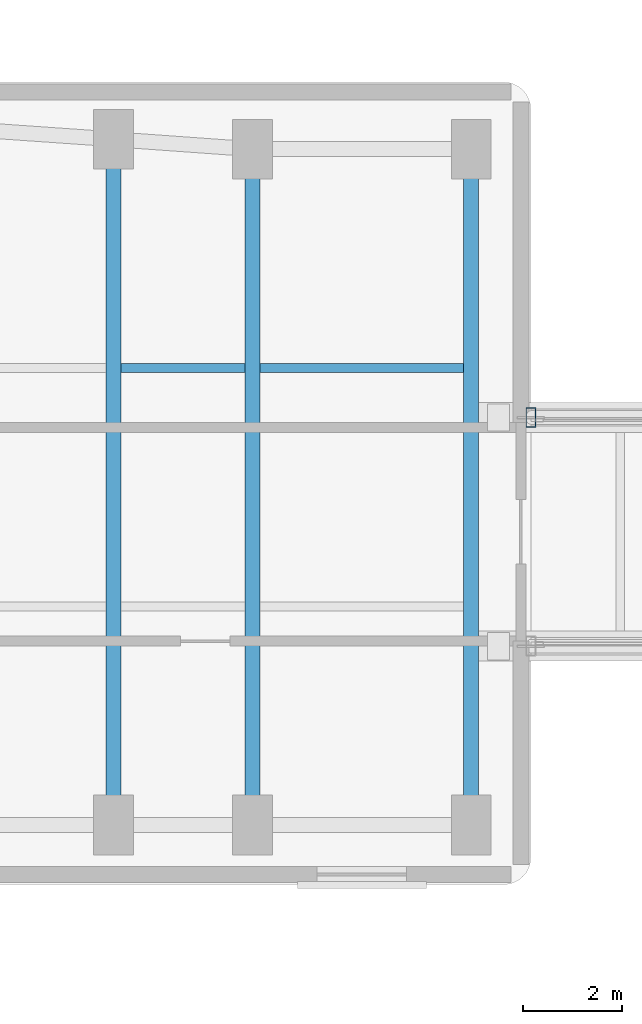
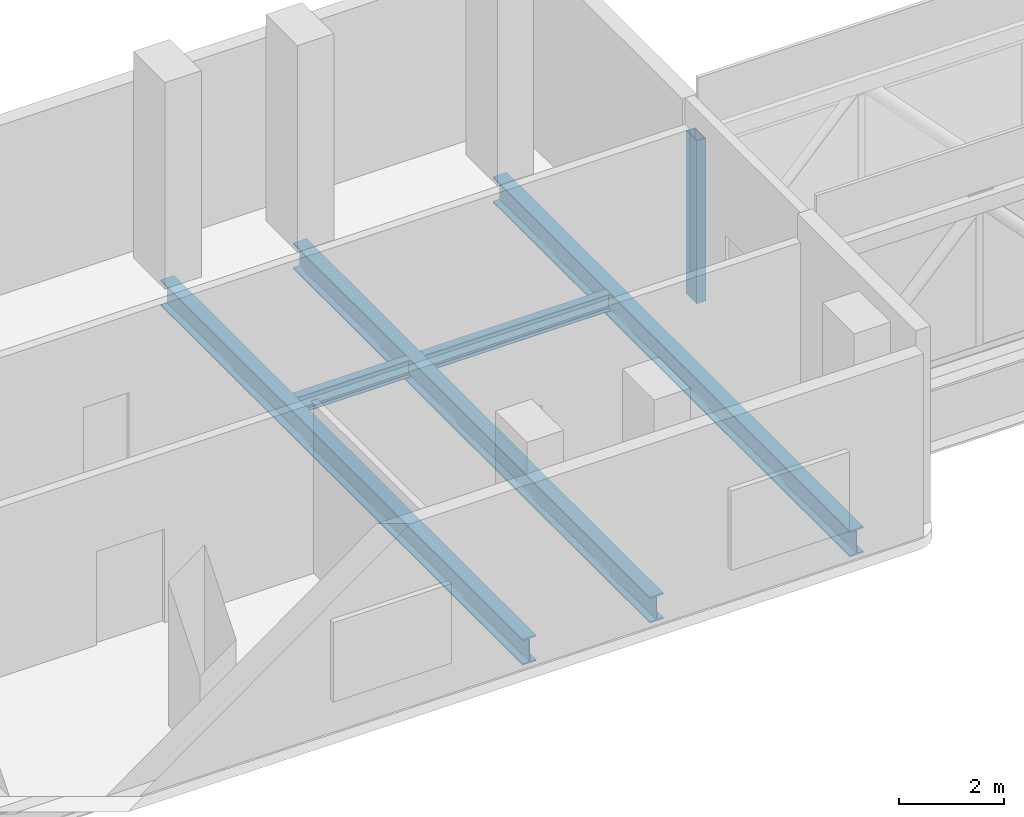
# One storey, part 3 of 17: 5 beams, 1 member.
"""IFC4 building model written with IfcOpenShell, lengths in metres."""

import ifcopenshell
import ifcopenshell.guid

model = None  # the IFC model being written
_history = None  # IfcOwnerHistory: only IFC2X3 demands one
_inside = {}  # id of a spatial element -> (the spatial element, [elements in it])
_under = {}  # id of a project, library or spatial element -> (it, [spatial elements below it])
_declared = {}  # id of a project -> (the project, [libraries it declares])
_typed = {}  # id of a type object -> (the type object, [elements of that type])
_made_of = {}  # id of a material, layer set ... -> (it, [elements and type objects made of it])


def new_model(schema):
    """Start an empty IFC model of exactly this schema.

    Asked for "IFC4X3", IfcOpenShell would pick the latest addendum, in which some entities
    have other attributes; the version numbers below select the first issue.
    IFC2X3 requires an IfcOwnerHistory on every rooted entity: one is made here for all.
    """
    global model, _history
    if schema == "IFC4X3":
        model = ifcopenshell.file(schema_version=(4, 3, 0, 0))
    else:
        model = ifcopenshell.file(schema=schema)
    _inside.clear()
    _under.clear()
    _declared.clear()
    _typed.clear()
    _made_of.clear()
    _history = None
    if model.schema == "IFC2X3":
        org = make("IfcOrganization", Name="unknown")
        user = make(
            "IfcPersonAndOrganization",
            ThePerson=make("IfcPerson", FamilyName="unknown"),
            TheOrganization=org,
        )
        app = make(
            "IfcApplication",
            ApplicationDeveloper=org,
            Version="unknown",
            ApplicationFullName="unknown",
            ApplicationIdentifier="unknown",
        )
        _history = make(
            "IfcOwnerHistory",
            OwningUser=user,
            OwningApplication=app,
            ChangeAction="ADDED",
            CreationDate=0,
        )
    return model


def make(cls, **values):
    """One entity of the class cls with the attributes given. An attribute that is None is left unset."""
    return model.create_entity(
        cls, **{name: value for name, value in values.items() if value is not None}
    )


def rooted(cls, **values):
    """An entity with a GlobalId (a new one), such as an element, a storey or a relation."""
    return make(cls, GlobalId=ifcopenshell.guid.new(), OwnerHistory=_history, **values)


def si_unit(unit_type, name, prefix=None):
    """IfcSIUnit, for example si_unit("LENGTHUNIT", "METRE", prefix="MILLI")."""
    return make("IfcSIUnit", UnitType=unit_type, Prefix=prefix, Name=name)


def assignment(units):
    """IfcUnitAssignment: the units of a project."""
    return None if units is None else make("IfcUnitAssignment", Units=units)


def point(xyz):
    """IfcCartesianPoint."""
    return None if xyz is None else make("IfcCartesianPoint", Coordinates=xyz)


def direction(xyz):
    """IfcDirection."""
    return None if xyz is None else make("IfcDirection", DirectionRatios=xyz)


def frame(location, z_axis=None, x_axis=None):
    """IfcAxis2Placement3D, a coordinate frame: its origin and axes. An axis left out is left unset."""
    return make(
        "IfcAxis2Placement3D",
        Location=point(location),
        Axis=direction(z_axis),
        RefDirection=direction(x_axis),
    )


def frame_2d(location, x_axis=None):
    """IfcAxis2Placement2D, a coordinate frame in the plane: its origin and x axis."""
    return make(
        "IfcAxis2Placement2D", Location=point(location), RefDirection=direction(x_axis)
    )


def origin():
    """The frame at (0, 0, 0) with its axes left unset."""
    return frame((0.0, 0.0, 0.0))


def origin_2d():
    """The frame at (0, 0) in the plane with its x axis left unset."""
    return frame_2d((0.0, 0.0))


def place(relative_to, where):
    """IfcLocalPlacement: puts the frame where relative to a parent placement (None: the world)."""
    return make(
        "IfcLocalPlacement", PlacementRelTo=relative_to, RelativePlacement=where
    )


def context(
    kind, dimensions, precision=None, world=None, true_north=None, identifier=None
):
    """IfcGeometricRepresentationContext, for example the 3D "Model" context."""
    return make(
        "IfcGeometricRepresentationContext",
        ContextIdentifier=identifier,
        ContextType=kind,
        CoordinateSpaceDimension=dimensions,
        Precision=precision,
        WorldCoordinateSystem=world,
        TrueNorth=true_north,
    )


def subcontext(parent, identifier, kind, view, scale=None):
    """IfcGeometricRepresentationSubContext, for example "Body" below "Model"."""
    return make(
        "IfcGeometricRepresentationSubContext",
        ContextIdentifier=identifier,
        ContextType=kind,
        ParentContext=parent,
        TargetScale=scale,
        TargetView=view,
    )


def project(units=None, contexts=None):
    """IfcProject with its units and contexts."""
    return rooted(
        "IfcProject",
        Name="project",
        RepresentationContexts=contexts,
        UnitsInContext=assignment(units),
    )


def spatial(cls, under=None, at=None, **own):
    """A site, building, storey or space (cls), placed at a placement, below another one or the project."""
    s = rooted(cls, ObjectPlacement=at, **own)
    if under is not None:
        _under.setdefault(under.id(), (under, []))[1].append(s)
    return s


def profile(cls, at=None, kind="AREA", **sizes):
    """A parametric profile (cls). Its sizes go by their IFC names, for example OverallWidth=200.0."""
    return make(cls, ProfileType=kind, Position=at, **sizes)


def hollow_rectangle(**sizes):
    """IfcRectangleHollowProfileDef."""
    return profile("IfcRectangleHollowProfileDef", **sizes)


def i_section(**sizes):
    """IfcIShapeProfileDef."""
    return profile("IfcIShapeProfileDef", **sizes)


def extrude(swept, where, along, depth):
    """IfcExtrudedAreaSolid: the profile swept, set in the frame where, extruded along a direction by depth."""
    return make(
        "IfcExtrudedAreaSolid",
        SweptArea=swept,
        Position=where,
        ExtrudedDirection=direction(along),
        Depth=depth,
    )


def shape(context_of_items, identifier, shape_type, items):
    """IfcShapeRepresentation: the items that make up one representation, for example the "Body"."""
    return make(
        "IfcShapeRepresentation",
        ContextOfItems=context_of_items,
        RepresentationIdentifier=identifier,
        RepresentationType=shape_type,
        Items=items,
    )


def material(Name=None, Category=None):
    """IfcMaterial."""
    return make("IfcMaterial", Name=Name, Category=Category)


def material_profile(
    of_material, cross_section, Name=None, Category=None, Priority=None
):
    """IfcMaterialProfile: a cross section and its material."""
    return make(
        "IfcMaterialProfile",
        Name=Name,
        Material=of_material,
        Profile=cross_section,
        Priority=Priority,
        Category=Category,
    )


def profile_set(profiles, Name=None, composite=None):
    """IfcMaterialProfileSet."""
    return make(
        "IfcMaterialProfileSet",
        Name=Name,
        MaterialProfiles=profiles,
        CompositeProfile=composite,
    )


def made_of(thing, what):
    """Note that an element or type object is made of a material, layer set ...; save() writes the relation."""
    if what is not None:
        _made_of.setdefault(what.id(), (what, []))[1].append(thing)
    return thing


def type_object(cls, material=None, **own):
    """A type object (cls), such as IfcWallType, which elements share."""
    return made_of(rooted(cls, **own), material)


def element(
    cls,
    number,
    at=None,
    inside=None,
    cuts=None,
    type_object=None,
    material=None,
    context=None,
    identifier="Body",
    shape_type=None,
    held_by="IfcProductDefinitionShape",
    body=None,
    shapes=None,
    **own,
):
    """One element of the class cls, such as IfcWall. Its Tag is "e" and its number.

    at: its placement. inside: the storey or other place that contains it. cuts: it is an
    opening in that element (IfcRelVoidsElement). A single representation is given by context,
    identifier, shape_type and body (its items); several are given by shapes. held_by: the class
    of the entity that holds the representations. save() writes the other relations.
    """
    e = rooted(cls, Tag="e%d" % number, ObjectPlacement=at, **own)
    if body is not None:
        shapes = [shape(context, identifier, shape_type, body)]
    if shapes is not None:
        e.Representation = make(held_by, Representations=shapes)
    if inside is not None:
        _inside.setdefault(inside.id(), (inside, []))[1].append(e)
    if cuts is not None:
        rooted(
            "IfcRelVoidsElement", RelatingBuildingElement=cuts, RelatedOpeningElement=e
        )
    if type_object is not None:
        _typed.setdefault(type_object.id(), (type_object, []))[1].append(e)
    return made_of(e, material)


def aggregate(whole, parts):
    """IfcRelAggregates: a whole, such as a stair, and the parts it consists of."""
    return rooted("IfcRelAggregates", RelatingObject=whole, RelatedObjects=parts)


def save(model, path):
    """Write the relations noted so far, then the file.

    IfcRelAggregates (storeys below a building ...), IfcRelContainedInSpatialStructure (elements
    in a storey), IfcRelDefinesByType, IfcRelAssociatesMaterial and IfcRelDeclares: one each for
    every whole, place, type object, material and project.
    """
    for whole, parts in _under.values():
        aggregate(whole, parts)
    for where, things in _inside.values():
        rooted(
            "IfcRelContainedInSpatialStructure",
            RelatedElements=things,
            RelatingStructure=where,
        )
    for kind, things in _typed.values():
        rooted("IfcRelDefinesByType", RelatedObjects=things, RelatingType=kind)
    for what, things in _made_of.values():
        rooted("IfcRelAssociatesMaterial", RelatedObjects=things, RelatingMaterial=what)
    for by, libraries in _declared.values():
        rooted("IfcRelDeclares", RelatingContext=by, RelatedDefinitions=libraries)
    model.write(path)


model = new_model("IFC4")

# Units and contexts
model_context = context("Model", 3, precision=1e-05, world=origin(), true_north=direction((0.0, 1.0)))
body_context = subcontext(model_context, "Body", "Model", "MODEL_VIEW")
ifc_project = project(units=[si_unit("LENGTHUNIT", "METRE"), si_unit("AREAUNIT", "SQUARE_METRE"), si_unit("VOLUMEUNIT", "CUBIC_METRE"), si_unit("PLANEANGLEUNIT", "RADIAN"), si_unit("MASSUNIT", "GRAM", prefix="KILO")], contexts=[model_context])

# Site, building, storey
site_placement = place(None, origin())
site = spatial("IfcSite", under=ifc_project, at=site_placement, CompositionType="ELEMENT")
building_placement = place(site_placement, origin())
building = spatial("IfcBuilding", under=site, at=building_placement, Name="Kuzgunbayir Cultural Tower", CompositionType="ELEMENT")
storey_placement = place(building_placement, frame((0.0, 0.0, 102.60009765625)))
storey = spatial("IfcBuildingStorey", under=building, at=storey_placement, Name="L29", CompositionType="ELEMENT", Elevation=102.60009765625)

# Beams
ifc_material_1 = material(Name="Steel S355J2", Category="steel")
ifc_material_profile_1 = material_profile(ifc_material_1, i_section(OverallWidth=0.300048828125, OverallDepth=0.60009765625, WebThickness=0.015380859375, FlangeThickness=0.030029296875, FilletRadius=0.027099609375, at=origin_2d()), Name="HEB 600")
ifc_profile_set_1 = profile_set([ifc_material_profile_1], Name="Steel S355J2")
beam_type_1 = type_object("IfcBeamType", Name="BM-GIR-HEB600", PredefinedType="BEAM", material=ifc_profile_set_1)
beam_1_placement = place(storey_placement, frame((38.39990234375, 27.60009765625, -0.5400390625), z_axis=(0.0, 1.0, 0.0), x_axis=(-1.0, 0.0, 0.0)))
element("IfcBeam", 1, at=beam_1_placement, inside=storey, type_object=beam_type_1, Name="L29 Wing B Cross Girder 38", PredefinedType="BEAM", context=body_context, shape_type="SweptSolid", body=[
    extrude(i_section(OverallWidth=0.300048828125, OverallDepth=0.60009765625, WebThickness=0.015380859375, FlangeThickness=0.030029296875, FilletRadius=0.027099609375, at=origin_2d()), origin(), (0.0, 0.0, 1.0), 13.7998046875),
])
for number, where, z_axis, x_axis, name in (
    (2, (41.199951171875, 27.60009765625, -0.5400390625), (0.0, 1.0, 0.0), (-1.0, 0.0, 0.0), "L29 Wing B Cross Girder 41"),
    (3, (45.60009765625, 27.60009765625, -0.5400390625), (0.0, 1.0, 0.0), (-1.0, 0.0, 0.0), "L29 Wing B Cross Girder 45"),
):
    element("IfcBeam", number, at=place(storey_placement, frame(where, z_axis=z_axis, x_axis=x_axis)), inside=storey, type_object=beam_type_1, Name=name, PredefinedType="BEAM", context=body_context, shape_type="SweptSolid", body=[
        extrude(i_section(OverallWidth=0.300048828125, OverallDepth=0.60009765625, WebThickness=0.015380859375, FlangeThickness=0.030029296875, FilletRadius=0.027099609375, at=origin_2d()), origin(), (0.0, 0.0, 1.0), 13.599853515625),
    ])
ifc_material_profile_2 = material_profile(ifc_material_1, i_section(OverallWidth=0.179931640625, OverallDepth=0.39990234375, WebThickness=0.008544921875, FlangeThickness=0.013427734375, FilletRadius=0.02099609375, at=origin_2d()), Name="IPE 400")
ifc_profile_set_2 = profile_set([ifc_material_profile_2], Name="Steel S355J2")
beam_type_2 = type_object("IfcBeamType", Name="BM-JST-IPE400", PredefinedType="JOIST", material=ifc_profile_set_2)
beam_2_placement = place(storey_placement, frame((38.550048828125, 36.800048828125, -0.440185546875), z_axis=(1.0, 0.0, 0.0), x_axis=(0.0, 1.0, 0.0)))
element("IfcBeam", 4, at=beam_2_placement, inside=storey, type_object=beam_type_2, Name="L29 Wing B Secondary Joist 2.2", PredefinedType="JOIST", context=body_context, shape_type="SweptSolid", body=[
    extrude(i_section(OverallWidth=0.179931640625, OverallDepth=0.39990234375, WebThickness=0.008544921875, FlangeThickness=0.013427734375, FilletRadius=0.02099609375, at=origin_2d()), origin(), (0.0, 0.0, 1.0), 2.5),
])
beam_3_placement = place(storey_placement, frame((41.35009765625, 36.800048828125, -0.440185546875), z_axis=(1.0, 0.0, 0.0), x_axis=(0.0, 1.0, 0.0)))
element("IfcBeam", 5, at=beam_3_placement, inside=storey, type_object=beam_type_2, Name="L29 Wing B Secondary Joist 3.2", PredefinedType="JOIST", context=body_context, shape_type="SweptSolid", body=[
    extrude(i_section(OverallWidth=0.179931640625, OverallDepth=0.39990234375, WebThickness=0.008544921875, FlangeThickness=0.013427734375, FilletRadius=0.02099609375, at=origin_2d()), origin(), (0.0, 0.0, 1.0), 4.099853515625),
])

# Member
ifc_material_2 = material(Name="Steel S460M", Category="steel")
ifc_material_profile_3 = material_profile(ifc_material_2, hollow_rectangle(XDim=0.199951171875, YDim=0.39990234375, WallThickness=0.01611328125, at=origin_2d()), Name="RHS 400x200x16")
ifc_profile_set_3 = profile_set([ifc_material_profile_3], Name="Steel S460M")
member_type = type_object("IfcMemberType", Name="MEM-STR-RHS400", PredefinedType="STRUT", material=ifc_profile_set_3)
member_placement = place(storey_placement, frame((46.800048828125, 35.800048828125, -0.239990234375), z_axis=(0.0, 0.0, 1.0), x_axis=(1.0, 0.0, 0.0)))
element("IfcMember", 6, at=member_placement, inside=storey, type_object=member_type, Name="L29 Skybridge Truss End Post NW", PredefinedType="STRUT", context=body_context, shape_type="SweptSolid", body=[
    extrude(hollow_rectangle(XDim=0.199951171875, YDim=0.39990234375, WallThickness=0.01611328125, at=origin_2d()), origin(), (0.0, 0.0, 1.0), 3.789794921875),
])

save(model, "model.ifc")
